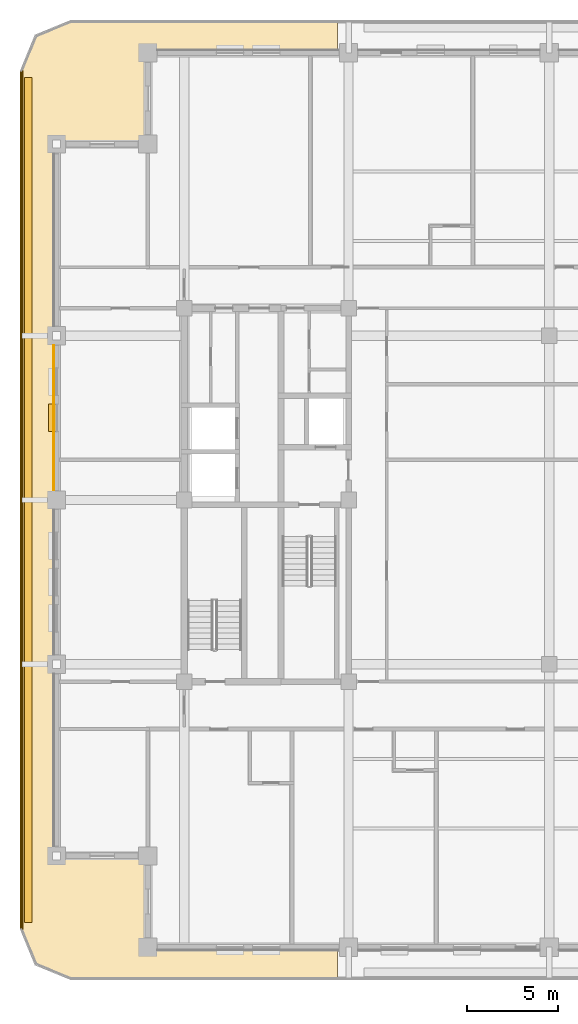
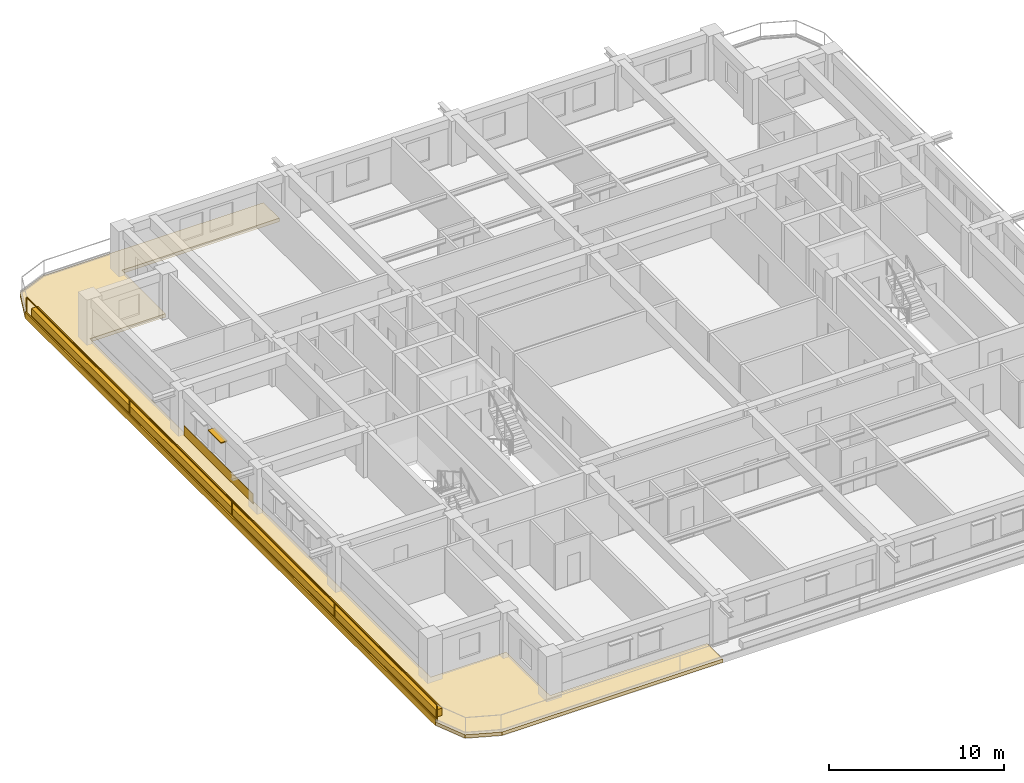
# One storey, part 10 of 14: 4 coverings, 1 railing, 1 shading device.
"""IFC4 building model written with IfcOpenShell, lengths in metres."""

from ifc_helpers import new_model, si_unit, direction, frame, frame_2d, origin, origin_2d, place, context, subcontext, project, spatial, polyline, rectangle, outline, extrude, material, layer, layer_set, type_object, element, save


model = new_model("IFC4")

# Units and contexts
model_context = context("Model", 3, precision=1e-05, world=origin(), true_north=direction((0.0, 1.0)))
body_context = subcontext(model_context, "Body", "Model", "MODEL_VIEW")
ifc_project = project(units=[si_unit("LENGTHUNIT", "METRE"), si_unit("AREAUNIT", "SQUARE_METRE"), si_unit("VOLUMEUNIT", "CUBIC_METRE"), si_unit("PLANEANGLEUNIT", "RADIAN"), si_unit("MASSUNIT", "GRAM", prefix="KILO")], contexts=[model_context])

# Site, building, storey
site_placement = place(None, origin())
site = spatial("IfcSite", under=ifc_project, at=site_placement, CompositionType="ELEMENT")
building_placement = place(site_placement, origin())
building = spatial("IfcBuilding", under=site, at=building_placement, Name="Zulmaris Gate Convention Tower", CompositionType="ELEMENT")
storey_placement = place(building_placement, frame((0.0, 0.0, 205.06005859375)))
storey = spatial("IfcBuildingStorey", under=building, at=storey_placement, Name="L53", CompositionType="ELEMENT", Elevation=205.06005859375)

# Coverings
ifc_material_1 = material(Name="Precast concrete C40/50", Category="concrete")
ifc_layer_1 = layer(ifc_material_1, 0.0400390625, Name="Precast concrete C40/50")
ifc_layer_set_1 = layer_set([ifc_layer_1], Name="Precast concrete C40/50")
covering_type_1 = type_object("IfcCoveringType", Name="CLAD-SPANDREL-PRECAST", PredefinedType="CLADDING", material=ifc_layer_set_1)
covering_1_placement = place(storey_placement, frame((-27.14990234375, 8.469970703125, 0.0), z_axis=(0.0, 0.0, 1.0), x_axis=(0.0, -1.0, 0.0)))
element("IfcCovering", 1, at=covering_1_placement, inside=storey, type_object=covering_type_1, Name="CLD-L53-W-2_0", PredefinedType="CLADDING", context=body_context, shape_type="SweptSolid", body=[
    extrude(rectangle(XDim=7.93994140625, YDim=0.0400390625, at=frame_2d((3.969970703125, 0.0))), origin(), (0.0, 0.0, 1.0), 0.679931640625),
])
ifc_material_2 = material(Name="White Glazed Architectural Precast Concrete C40/50", Category="concrete")
ifc_layer_2 = layer(ifc_material_2, 0.239990234375, Name="White Glazed Architectural Precast Concrete C40/50")
ifc_layer_set_2 = layer_set([ifc_layer_2], Name="White Glazed Architectural Precast Concrete C40/50")
covering_type_2 = type_object("IfcCoveringType", Name="CLAD-TRAY-DECK", PredefinedType="CLADDING", material=ifc_layer_set_2)
covering_2_placement = place(storey_placement, frame((0.0, 0.0, -0.25)))
element("IfcCovering", 2, at=covering_2_placement, inside=storey, type_object=covering_type_2, Name="L53 West Rounded-Fascia Planter Tray Deck", PredefinedType="CLADDING", context=body_context, shape_type="SweptSolid", body=[
    extrude(outline(polyline([(-29.0, 23.5), (-28.179931640625, 25.47998046875), (-26.199951171875, 26.300048828125), (-11.60205078125, 26.300048828125), (-11.60205078125, 24.5), (-22.0, 24.5), (-22.0, 19.5), (-27.0, 19.5), (-27.0, -19.5), (-22.0, -19.5), (-22.0, -24.5), (-11.60205078125, -24.5), (-11.60205078125, -26.300048828125), (-26.199951171875, -26.300048828125), (-28.179931640625, -25.47998046875), (-29.0, -23.5), (-29.0, 23.5)])), origin(), (0.0, 0.0, 1.0), 0.239990234375),
])
ifc_layer_3 = layer(ifc_material_2, 0.080078125, Name="White Glazed Architectural Precast Concrete C40/50")
ifc_layer_set_3 = layer_set([ifc_layer_3], Name="White Glazed Architectural Precast Concrete C40/50")
covering_type_3 = type_object("IfcCoveringType", Name="CLAD-TRAY-FASCIA", PredefinedType="CLADDING", material=ifc_layer_set_3)
covering_3_placement = place(storey_placement, frame((-28.9599609375, 23.5, -0.2900390625), z_axis=(0.0, 0.0, 1.0), x_axis=(0.0, -1.0, 0.0)))
element("IfcCovering", 3, at=covering_3_placement, inside=storey, type_object=covering_type_3, Name="FSC-L53-TR-11", PredefinedType="CLADDING", context=body_context, shape_type="SweptSolid", body=[
    extrude(rectangle(XDim=47.0, YDim=0.080078125, at=frame_2d((23.5, 0.0))), origin(), (0.0, 0.0, 1.0), 0.440185546875),
])
ifc_material_3 = material(Name="Botanical Green Glazed Precast Concrete C40/50", Category="concrete")
ifc_layer_4 = layer(ifc_material_3, 0.419921875, Name="Botanical Green Glazed Precast Concrete C40/50")
ifc_layer_set_4 = layer_set([ifc_layer_4], Name="Botanical Green Glazed Precast Concrete C40/50")
covering_type_4 = type_object("IfcCoveringType", Name="PLANTER-BOX-200", PredefinedType="CLADDING", material=ifc_layer_set_4)
covering_4_placement = place(storey_placement, frame((0.0, 0.0, -0.010009765625)))
element("IfcCovering", 4, at=covering_4_placement, inside=storey, type_object=covering_type_4, Name="L53 W Full-Length Balcony Tree Planter Trough", PredefinedType="CLADDING", context=body_context, shape_type="SweptSolid", body=[
    extrude(outline(polyline([(-28.760009765625, -23.14990234375), (-28.340087890625, -23.14990234375), (-28.340087890625, 23.14990234375), (-28.760009765625, 23.14990234375), (-28.760009765625, -23.14990234375)])), origin(), (0.0, 0.0, 1.0), 0.52001953125),
])

# Railing
ifc_material_4 = material(Name="Laminated Glass and Stainless Steel", Category="steel")
railing_type = type_object("IfcRailingType", Name="RL-BALC-1150", PredefinedType="BALUSTRADE", material=ifc_material_4)
railing_placement = place(storey_placement, frame((-28.8798828125, 23.5, -0.010009765625)))
element("IfcRailing", 5, at=railing_placement, inside=storey, type_object=railing_type, Name="RL-L53-BALC-W", PredefinedType="BALUSTRADE", context=body_context, shape_type="SweptSolid", body=[
    extrude(rectangle(XDim=0.048095703125, YDim=0.048095703125, at=origin_2d()), frame((0.0, 0.0, 1.1259765625), z_axis=(0.0, -1.0, 0.0), x_axis=(1.0, 0.0, 0.0)), (0.0, 0.0, 1.0), 47.0),
    extrude(rectangle(XDim=0.048095703125, YDim=0.048095703125, at=origin_2d()), frame((0.0, 0.0, 0.02392578125), z_axis=(0.0, -1.0, 0.0), x_axis=(1.0, 0.0, 0.0)), (0.0, 0.0, 1.0), 47.0),
    extrude(rectangle(XDim=0.0419921875, YDim=0.0419921875, at=origin_2d()), origin(), (0.0, 0.0, 1.0), 1.101806640625),
    extrude(rectangle(XDim=0.0419921875, YDim=0.0419921875, at=origin_2d()), frame((0.0, -11.75, 0.0)), (0.0, 0.0, 1.0), 1.101806640625),
    extrude(rectangle(XDim=0.0419921875, YDim=0.0419921875, at=origin_2d()), frame((0.0, -23.5, 0.0)), (0.0, 0.0, 1.0), 1.101806640625),
    extrude(rectangle(XDim=0.0419921875, YDim=0.0419921875, at=origin_2d()), frame((0.0, -35.25, 0.0)), (0.0, 0.0, 1.0), 1.101806640625),
    extrude(rectangle(XDim=0.0419921875, YDim=0.0419921875, at=origin_2d()), frame((0.0, -47.0, 0.0)), (0.0, 0.0, 1.0), 1.101806640625),
])

# Shading device
ifc_material_5 = material(Name="Glazed Ceramic Terracotta", Category="masonry")
ifc_layer_5 = layer(ifc_material_5, 0.070068359375, Name="Glazed Ceramic Terracotta")
ifc_layer_set_5 = layer_set([ifc_layer_5], Name="Glazed Ceramic Terracotta")
shading_device_type = type_object("IfcShadingDeviceType", Name="SHD-SUNSHADE-TC", PredefinedType="AWNING", material=ifc_layer_set_5)
shading_device_placement = place(storey_placement, frame((-27.219970703125, 5.25, 2.35009765625), z_axis=(0.0, 0.0, 1.0), x_axis=(0.0, -1.0, 0.0)))
element("IfcShadingDevice", 6, at=shading_device_placement, inside=storey, type_object=shading_device_type, Name="SHD-EW-L53-W-2_0-2", PredefinedType="AWNING", context=body_context, shape_type="SweptSolid", body=[
    extrude(rectangle(XDim=1.5, YDim=0.43994140625, at=frame_2d((0.75, 0.0))), origin(), (0.0, 0.0, 1.0), 0.06982421875),
])

save(model, "model.ifc")
